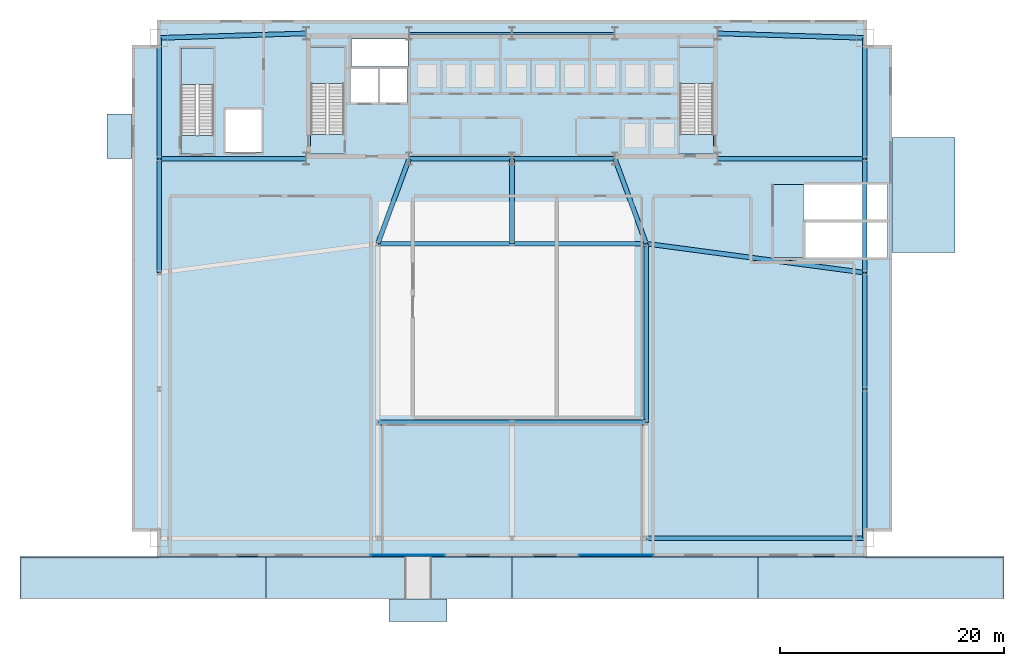
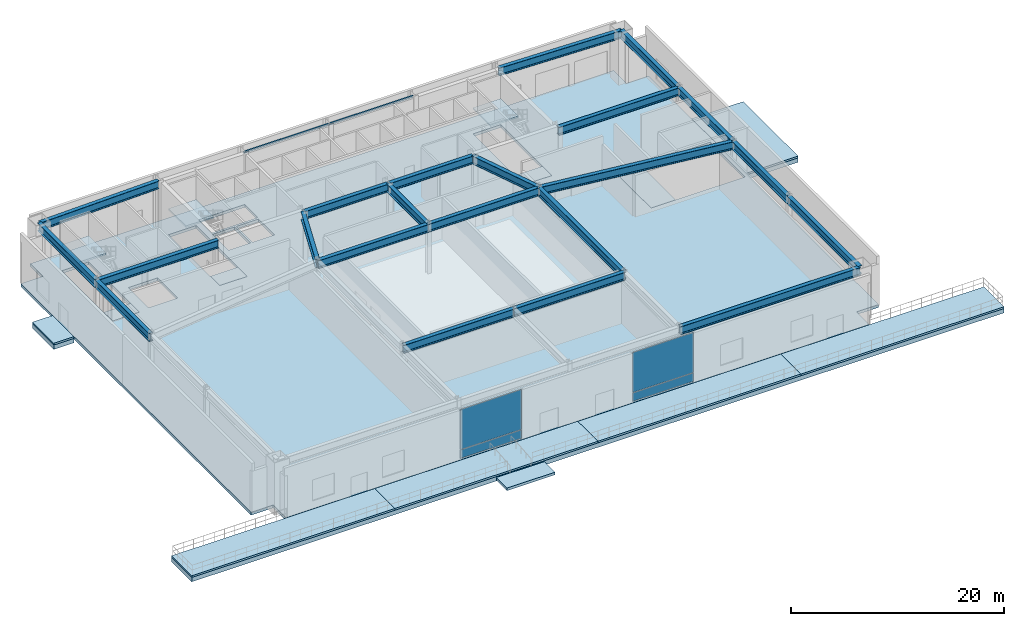
# One storey, part 8 of 17: 24 beams, 18 slabs, 4 plates, 5 elements without a shape of their own.
"""IFC4 building model written with IfcOpenShell, lengths in metres."""

from ifc_helpers import new_model, si_unit, direction, frame, origin, origin_2d, place, context, subcontext, project, spatial, polyline, rectangle, i_section, outline, extrude, source, transform, mapped, material, layer, layer_set, material_profile, profile_set, type_object, type_shapes, element, aggregate, save


model = new_model("IFC4")

# Units and contexts
model_context = context("Model", 3, precision=1e-05, world=origin(), true_north=direction((0.0, 1.0)))
body_context = subcontext(model_context, "Body", "Model", "MODEL_VIEW")
ifc_project = project(units=[si_unit("LENGTHUNIT", "METRE"), si_unit("AREAUNIT", "SQUARE_METRE"), si_unit("VOLUMEUNIT", "CUBIC_METRE"), si_unit("PLANEANGLEUNIT", "RADIAN"), si_unit("MASSUNIT", "GRAM", prefix="KILO")], contexts=[model_context])

# Site, building, storey
site_placement = place(None, origin())
site = spatial("IfcSite", under=ifc_project, at=site_placement, CompositionType="ELEMENT")
building_placement = place(site_placement, origin())
building = spatial("IfcBuilding", under=site, at=building_placement, Name="Varnel Quay Broadcast Tower", CompositionType="ELEMENT")
storey_placement = place(building_placement, origin())
storey = spatial("IfcBuildingStorey", under=building, at=storey_placement, Name="L00", CompositionType="ELEMENT", Elevation=0.0)

# Beams
ifc_material_1 = material(Name="Structural Steel CSA G40.21 350W", Category="steel")
ifc_material_profile_1 = material_profile(ifc_material_1, i_section(OverallWidth=0.1650390625, OverallDepth=0.200927734375, WebThickness=0.006103515625, FlangeThickness=0.01025390625, FilletRadius=0.010009765625, at=origin_2d()), Name="W200X36")
ifc_profile_set_1 = profile_set([ifc_material_profile_1], Name="Structural Steel CSA G40.21 350W")
beam_type_1 = type_object("IfcBeamType", Name="Beam_W200X36", PredefinedType="LINTEL", material=ifc_profile_set_1)
shared_shape_1 = source(origin(), body_context, "Body", "SweptSolid", [
    extrude(i_section(OverallWidth=0.1650390625, OverallDepth=0.200927734375, WebThickness=0.006103515625, FlangeThickness=0.01025390625, FilletRadius=0.010009765625, at=origin_2d()), origin(), (0.0, 0.0, 1.0), 9.159912109375),
])
type_shapes(beam_type_1, [shared_shape_1])
for number, where, z_axis, x_axis, name in (
    (1, (24.820068359375, 46.800048828125, 5.619384765625), (1.0, 0.0, 0.0), (0.0, 1.0, 0.0), "L00 Core North Portal Lintel W"),
    (2, (34.02001953125, 46.800048828125, 5.619384765625), (1.0, 0.0, 0.0), (0.0, 1.0, 0.0), "L00 Core North Portal Lintel E"),
):
    element("IfcBeam", number, at=place(storey_placement, frame(where, z_axis=z_axis, x_axis=x_axis)), inside=storey, type_object=beam_type_1, Name=name, PredefinedType="LINTEL", context=body_context, shape_type="MappedRepresentation", body=[
        mapped(shared_shape_1, transform((0.0, 0.0, 0.0), x_axis=(1.0, 0.0, 0.0), y_axis=(0.0, 1.0, 0.0), z_axis=(0.0, 0.0, 1.0), scale=1.0)),
    ])
ifc_material_profile_2 = material_profile(ifc_material_1, i_section(OverallWidth=0.41796875, OverallDepth=0.912109375, WebThickness=0.019287109375, FlangeThickness=0.031982421875, FilletRadius=0.02197265625, at=origin_2d()), Name="W920X342")
ifc_profile_set_2 = profile_set([ifc_material_profile_2], Name="Structural Steel CSA G40.21 350W")
beam_type_2 = type_object("IfcBeamType", Name="Girder_W920X342", PredefinedType="BEAM", material=ifc_profile_set_2)
shared_shape_2 = source(origin(), body_context, "Body", "SweptSolid", [
    extrude(i_section(OverallWidth=0.41796875, OverallDepth=0.912109375, WebThickness=0.019287109375, FlangeThickness=0.031982421875, FilletRadius=0.02197265625, at=origin_2d()), origin(), (0.0, 0.0, 1.0), 19.510009765625),
])
beam_1_placement = place(storey_placement, frame((46.02001953125, 1.64990234375, 5.263916015625), z_axis=(1.0, 0.0, 0.0), x_axis=(0.0, 1.0, 0.0)))
element("IfcBeam", 3, at=beam_1_placement, inside=storey, type_object=beam_type_2, Name="L00 Girder G-PS4", PredefinedType="BEAM", context=body_context, shape_type="MappedRepresentation", body=[
    mapped(shared_shape_2, transform((0.0, 0.0, 0.0), x_axis=(1.0, 0.0, 0.0), y_axis=(0.0, 1.0, 0.0), z_axis=(0.0, 0.0, 1.0), scale=1.0)),
])
shared_shape_3 = source(origin(), body_context, "Body", "SweptSolid", [
    extrude(i_section(OverallWidth=0.41796875, OverallDepth=0.912109375, WebThickness=0.019287109375, FlangeThickness=0.031982421875, FilletRadius=0.02197265625, at=origin_2d()), origin(), (0.0, 0.0, 1.0), 11.9599609375),
])
for number, where, z_axis, x_axis, name in (
    (4, (22.02001953125, 12.0, 5.263916015625), (1.0, 0.0, 0.0), (0.0, 1.0, 0.0), "L00 Girder G-STC1A"),
    (5, (34.02001953125, 12.0, 5.263916015625), (1.0, 0.0, 0.0), (0.0, 1.0, 0.0), "L00 Girder G-STC1B"),
    (6, (22.02001953125, 28.0, 5.263916015625), (1.0, 0.0, 0.0), (0.0, 1.0, 0.0), "L00 Girder G-STC2"),
    (7, (34.02001953125, 28.0, 5.263916015625), (1.0, 0.0, 0.0), (0.0, 1.0, 0.0), "L00 Girder G-STC3"),
):
    element("IfcBeam", number, at=place(storey_placement, frame(where, z_axis=z_axis, x_axis=x_axis)), inside=storey, type_object=beam_type_2, Name=name, PredefinedType="BEAM", context=body_context, shape_type="MappedRepresentation", body=[
        mapped(shared_shape_3, transform((0.0, 0.0, 0.0), x_axis=(1.0, 0.0, 0.0), y_axis=(0.0, 1.0, 0.0), z_axis=(0.0, 0.0, 1.0), scale=1.0)),
    ])
shared_shape_4 = source(origin(), body_context, "Body", "SweptSolid", [
    extrude(i_section(OverallWidth=0.41796875, OverallDepth=0.912109375, WebThickness=0.019287109375, FlangeThickness=0.031982421875, FilletRadius=0.02197265625, at=origin_2d()), origin(), (0.0, 0.0, 1.0), 13.31005859375),
])
beam_2_placement = place(storey_placement, frame((65.550048828125, 1.669921875, 5.263916015625), z_axis=(0.0, 1.0, 0.0), x_axis=(-1.0, 0.0, 0.0)))
element("IfcBeam", 8, at=beam_2_placement, inside=storey, type_object=beam_type_2, Name="L00 Girder G-PE1", PredefinedType="BEAM", context=body_context, shape_type="MappedRepresentation", body=[
    mapped(shared_shape_4, transform((0.0, 0.0, 0.0), x_axis=(1.0, 0.0, 0.0), y_axis=(0.0, 1.0, 0.0), z_axis=(0.0, 0.0, 1.0), scale=1.0)),
])
shared_shape_5 = source(origin(), body_context, "Body", "SweptSolid", [
    extrude(i_section(OverallWidth=0.41796875, OverallDepth=0.912109375, WebThickness=0.019287109375, FlangeThickness=0.031982421875, FilletRadius=0.02197265625, at=origin_2d()), origin(), (0.0, 0.0, 1.0), 10.35986328125),
])
beam_3_placement = place(storey_placement, frame((65.550048828125, 15.02001953125, 5.263916015625), z_axis=(0.0, 1.0, 0.0), x_axis=(-1.0, 0.0, 0.0)))
element("IfcBeam", 9, at=beam_3_placement, inside=storey, type_object=beam_type_2, Name="L00 Girder G-PE2", PredefinedType="BEAM", context=body_context, shape_type="MappedRepresentation", body=[
    mapped(shared_shape_5, transform((0.0, 0.0, 0.0), x_axis=(1.0, 0.0, 0.0), y_axis=(0.0, 1.0, 0.0), z_axis=(0.0, 0.0, 1.0), scale=1.0)),
])
shared_shape_6 = source(origin(), body_context, "Body", "SweptSolid", [
    extrude(i_section(OverallWidth=0.41796875, OverallDepth=0.912109375, WebThickness=0.019287109375, FlangeThickness=0.031982421875, FilletRadius=0.02197265625, at=origin_2d()), origin(), (0.0, 0.0, 1.0), 10.16015625),
])
for number, where, z_axis, x_axis, name in (
    (10, (2.449951171875, 25.419921875, 5.263916015625), (0.0, 1.0, 0.0), (-1.0, 0.0, 0.0), "L00 Girder G-PW3"),
    (11, (65.550048828125, 25.419921875, 5.263916015625), (0.0, 1.0, 0.0), (-1.0, 0.0, 0.0), "L00 Girder G-PE3"),
):
    element("IfcBeam", number, at=place(storey_placement, frame(where, z_axis=z_axis, x_axis=x_axis)), inside=storey, type_object=beam_type_2, Name=name, PredefinedType="BEAM", context=body_context, shape_type="MappedRepresentation", body=[
        mapped(shared_shape_6, transform((0.0, 0.0, 0.0), x_axis=(1.0, 0.0, 0.0), y_axis=(0.0, 1.0, 0.0), z_axis=(0.0, 0.0, 1.0), scale=1.0)),
    ])
shared_shape_7 = source(origin(), body_context, "Body", "SweptSolid", [
    extrude(i_section(OverallWidth=0.41796875, OverallDepth=0.912109375, WebThickness=0.019287109375, FlangeThickness=0.031982421875, FilletRadius=0.02197265625, at=origin_2d()), origin(), (0.0, 0.0, 1.0), 10.759765625),
])
for number, where, z_axis, x_axis, name in (
    (12, (2.449951171875, 35.6201171875, 5.263916015625), (0.0, 1.0, 0.0), (-1.0, 0.0, 0.0), "L00 Girder G-PW4"),
    (13, (65.550048828125, 35.6201171875, 5.263916015625), (0.0, 1.0, 0.0), (-1.0, 0.0, 0.0), "L00 Girder G-PE4"),
):
    element("IfcBeam", number, at=place(storey_placement, frame(where, z_axis=z_axis, x_axis=x_axis)), inside=storey, type_object=beam_type_2, Name=name, PredefinedType="BEAM", context=body_context, shape_type="MappedRepresentation", body=[
        mapped(shared_shape_7, transform((0.0, 0.0, 0.0), x_axis=(1.0, 0.0, 0.0), y_axis=(0.0, 1.0, 0.0), z_axis=(0.0, 0.0, 1.0), scale=1.0)),
    ])
shared_shape_8 = source(origin(), body_context, "Body", "SweptSolid", [
    extrude(i_section(OverallWidth=0.41796875, OverallDepth=0.912109375, WebThickness=0.019287109375, FlangeThickness=0.031982421875, FilletRadius=0.02197265625, at=origin_2d()), origin(), (0.0, 0.0, 1.0), 13.1162109375),
])
for number, where, z_axis, x_axis, name in (
    (14, (2.469970703125, 46.400634765625, 5.263916015625), (0.999537928818, 0.030396198025, 0.0), (-0.030396198025, 0.999537928818, 0.0), "L00 Girder G-PN1"),
    (15, (52.419921875, 46.79931640625, 5.263916015625), (0.999537928818, -0.030396198025, 0.0), (0.030396198025, 0.999537928818, 0.0), "L00 Girder G-PN2"),
):
    element("IfcBeam", number, at=place(storey_placement, frame(where, z_axis=z_axis, x_axis=x_axis)), inside=storey, type_object=beam_type_2, Name=name, PredefinedType="BEAM", context=body_context, shape_type="MappedRepresentation", body=[
        mapped(shared_shape_8, transform((0.0, 0.0, 0.0), x_axis=(1.0, 0.0, 0.0), y_axis=(0.0, 1.0, 0.0), z_axis=(0.0, 0.0, 1.0), scale=1.0)),
    ])
shared_shape_9 = source(origin(), body_context, "Body", "SweptSolid", [
    extrude(i_section(OverallWidth=0.41796875, OverallDepth=0.912109375, WebThickness=0.019287109375, FlangeThickness=0.031982421875, FilletRadius=0.02197265625, at=origin_2d()), origin(), (0.0, 0.0, 1.0), 19.682373046875),
])
beam_4_placement = place(storey_placement, frame((46.019775390625, 27.997314453125, 5.263916015625), z_axis=(0.991272261072, -0.131830589885, 0.0), x_axis=(0.131830589885, 0.991272261072, 0.0)))
element("IfcBeam", 16, at=beam_4_placement, inside=storey, type_object=beam_type_2, Name="L00 Girder G-STB2", PredefinedType="BEAM", context=body_context, shape_type="MappedRepresentation", body=[
    mapped(shared_shape_9, transform((0.0, 0.0, 0.0), x_axis=(1.0, 0.0, 0.0), y_axis=(0.0, 1.0, 0.0), z_axis=(0.0, 0.0, 1.0), scale=1.0)),
])
shared_shape_10 = source(origin(), body_context, "Body", "SweptSolid", [
    extrude(i_section(OverallWidth=0.41796875, OverallDepth=0.912109375, WebThickness=0.019287109375, FlangeThickness=0.031982421875, FilletRadius=0.02197265625, at=origin_2d()), origin(), (0.0, 0.0, 1.0), 15.9599609375),
])
beam_5_placement = place(storey_placement, frame((46.0, 12.02001953125, 5.263916015625), z_axis=(0.0, 1.0, 0.0), x_axis=(-1.0, 0.0, 0.0)))
element("IfcBeam", 17, at=beam_5_placement, inside=storey, type_object=beam_type_2, Name="L00 Girder G-M4", PredefinedType="BEAM", context=body_context, shape_type="MappedRepresentation", body=[
    mapped(shared_shape_10, transform((0.0, 0.0, 0.0), x_axis=(1.0, 0.0, 0.0), y_axis=(0.0, 1.0, 0.0), z_axis=(0.0, 0.0, 1.0), scale=1.0)),
])
shared_shape_11 = source(origin(), body_context, "Body", "SweptSolid", [
    extrude(i_section(OverallWidth=0.41796875, OverallDepth=0.912109375, WebThickness=0.019287109375, FlangeThickness=0.031982421875, FilletRadius=0.02197265625, at=origin_2d()), origin(), (0.0, 0.0, 1.0), 8.0595703125),
])
for number, where, z_axis, x_axis, name in (
    (18, (22.0068359375, 28.018798828125, 5.263916015625), (0.345726415607, 0.938335358788, 0.0), (-0.938335358788, 0.345726415607, 0.0), "L00 Girder G-C1"),
    (19, (45.9931640625, 28.018798828125, 5.263916015625), (-0.345726415607, 0.938335358788, 0.0), (-0.938335358788, -0.345726415607, 0.0), "L00 Girder G-C3"),
):
    element("IfcBeam", number, at=place(storey_placement, frame(where, z_axis=z_axis, x_axis=x_axis)), inside=storey, type_object=beam_type_2, Name=name, PredefinedType="BEAM", context=body_context, shape_type="MappedRepresentation", body=[
        mapped(shared_shape_11, transform((0.0, 0.0, 0.0), x_axis=(1.0, 0.0, 0.0), y_axis=(0.0, 1.0, 0.0), z_axis=(0.0, 0.0, 1.0), scale=1.0)),
    ])
shared_shape_12 = source(origin(), body_context, "Body", "SweptSolid", [
    extrude(i_section(OverallWidth=0.41796875, OverallDepth=0.912109375, WebThickness=0.019287109375, FlangeThickness=0.031982421875, FilletRadius=0.02197265625, at=origin_2d()), origin(), (0.0, 0.0, 1.0), 7.56005859375),
])
beam_6_placement = place(storey_placement, frame((34.0, 28.02001953125, 5.263916015625), z_axis=(0.0, 1.0, 0.0), x_axis=(-1.0, 0.0, 0.0)))
element("IfcBeam", 20, at=beam_6_placement, inside=storey, type_object=beam_type_2, Name="L00 Girder G-C2", PredefinedType="BEAM", context=body_context, shape_type="MappedRepresentation", body=[
    mapped(shared_shape_12, transform((0.0, 0.0, 0.0), x_axis=(1.0, 0.0, 0.0), y_axis=(0.0, 1.0, 0.0), z_axis=(0.0, 0.0, 1.0), scale=1.0)),
])
shared_shape_13 = source(origin(), body_context, "Body", "SweptSolid", [
    extrude(i_section(OverallWidth=0.41796875, OverallDepth=0.912109375, WebThickness=0.019287109375, FlangeThickness=0.031982421875, FilletRadius=0.02197265625, at=origin_2d()), origin(), (0.0, 0.0, 1.0), 13.110107421875),
])
for number, where, z_axis, x_axis, name in (
    (21, (2.469970703125, 35.60009765625, 5.263916015625), (1.0, 0.0, 0.0), (0.0, 1.0, 0.0), "L00 Girder G-C4"),
    (22, (52.419921875, 35.60009765625, 5.263916015625), (1.0, 0.0, 0.0), (0.0, 1.0, 0.0), "L00 Girder G-C5"),
):
    element("IfcBeam", number, at=place(storey_placement, frame(where, z_axis=z_axis, x_axis=x_axis)), inside=storey, type_object=beam_type_2, Name=name, PredefinedType="BEAM", context=body_context, shape_type="MappedRepresentation", body=[
        mapped(shared_shape_13, transform((0.0, 0.0, 0.0), x_axis=(1.0, 0.0, 0.0), y_axis=(0.0, 1.0, 0.0), z_axis=(0.0, 0.0, 1.0), scale=1.0)),
    ])
shared_shape_14 = source(origin(), body_context, "Body", "SweptSolid", [
    extrude(i_section(OverallWidth=0.41796875, OverallDepth=0.912109375, WebThickness=0.019287109375, FlangeThickness=0.031982421875, FilletRadius=0.02197265625, at=origin_2d()), origin(), (0.0, 0.0, 1.0), 9.159912109375),
])
type_shapes(beam_type_2, [shared_shape_2, shared_shape_3, shared_shape_4, shared_shape_5, shared_shape_6, shared_shape_7, shared_shape_8, shared_shape_9, shared_shape_10, shared_shape_11, shared_shape_12, shared_shape_13, shared_shape_14])
for number, where, z_axis, x_axis, name in (
    (23, (24.820068359375, 35.60009765625, 5.263916015625), (1.0, 0.0, 0.0), (0.0, 1.0, 0.0), "L00 Girder G-CS1"),
    (24, (34.02001953125, 35.60009765625, 5.263916015625), (1.0, 0.0, 0.0), (0.0, 1.0, 0.0), "L00 Girder G-CS2"),
):
    element("IfcBeam", number, at=place(storey_placement, frame(where, z_axis=z_axis, x_axis=x_axis)), inside=storey, type_object=beam_type_2, Name=name, PredefinedType="BEAM", context=body_context, shape_type="MappedRepresentation", body=[
        mapped(shared_shape_14, transform((0.0, 0.0, 0.0), x_axis=(1.0, 0.0, 0.0), y_axis=(0.0, 1.0, 0.0), z_axis=(0.0, 0.0, 1.0), scale=1.0)),
    ])

# Slabs
ifc_material_2 = material(Name="Concrete CSA A23.3 C50/60", Category="concrete")
ifc_layer_1 = layer(ifc_material_2, 0.5, Name="Concrete CSA A23.3 C50/60")
ifc_layer_set_1 = layer_set([ifc_layer_1], Name="Concrete CSA A23.3 C50/60")
slab_type_1 = type_object("IfcSlabType", Name="Slab_Base500", PredefinedType="BASESLAB", material=ifc_layer_set_1)
slab_1_placement = place(storey_placement, frame((0.0, 0.0, -0.699951171875)))
element("IfcSlab", 25, at=slab_1_placement, inside=storey, type_object=slab_type_1, Name="Quay Promenade Continuous Structural Sub-Base", PredefinedType="BASESLAB", context=body_context, shape_type="SweptSolid", body=[
    extrude(outline(polyline([(-10.0, -3.800048828125), (78.0, -3.800048828125), (78.0, 0.0), (-10.0, 0.0), (-10.0, -3.800048828125)])), origin(), (0.0, 0.0, 1.0), 0.5),
])
slab_2_placement = place(storey_placement, frame((0.0, 0.0, -0.699951171875)))
element("IfcSlab", 26, at=slab_2_placement, inside=storey, type_object=slab_type_1, Name="East Ramp Apron Structural Sub-Base", PredefinedType="BASESLAB", context=body_context, shape_type="SweptSolid", body=[
    extrude(outline(polyline([(68.0, 27.199951171875), (73.60009765625, 27.199951171875), (73.60009765625, 37.5), (68.0, 37.5), (68.0, 27.199951171875)])), origin(), (0.0, 0.0, 1.0), 0.5),
])
slab_3_placement = place(storey_placement, frame((0.0, 0.0, -0.699951171875)))
element("IfcSlab", 27, at=slab_3_placement, inside=storey, type_object=slab_type_1, Name="West Exit Stair 3 Discharge Apron Sub-Base", PredefinedType="BASESLAB", context=body_context, shape_type="SweptSolid", body=[
    extrude(outline(polyline([(-2.199951171875, 35.60009765625), (0.0, 35.60009765625), (0.0, 39.60009765625), (-2.199951171875, 39.60009765625), (-2.199951171875, 35.60009765625)])), origin(), (0.0, 0.0, 1.0), 0.5),
])
ifc_material_3 = material(Name="Concrete CSA A23.3 C40/50", Category="concrete")
ifc_layer_2 = layer(ifc_material_3, 0.25, Name="Concrete CSA A23.3 C40/50")
ifc_layer_set_2 = layer_set([ifc_layer_2], Name="Concrete CSA A23.3 C40/50")
slab_type_2 = type_object("IfcSlabType", Name="Slab_ExtTerrace250", PredefinedType="FLOOR", material=ifc_layer_set_2)
slab_4_placement = place(storey_placement, frame((0.0, 0.0, -0.199951171875)))
element("IfcSlab", 28, at=slab_4_placement, inside=storey, type_object=slab_type_2, Name="West Street Stair 3 Exit Discharge Apron", PredefinedType="FLOOR", context=body_context, shape_type="SweptSolid", body=[
    extrude(outline(polyline([(-2.199951171875, 35.60009765625), (0.0, 35.60009765625), (0.0, 39.60009765625), (-2.199951171875, 39.60009765625), (-2.199951171875, 35.60009765625)])), origin(), (0.0, 0.0, 1.0), 0.199951171875),
])
ifc_layer_3 = layer(ifc_material_2, 0.320068359375, Name="Concrete CSA A23.3 C50/60")
ifc_layer_set_3 = layer_set([ifc_layer_3], Name="Concrete CSA A23.3 C50/60")
slab_type_3 = type_object("IfcSlabType", Name="Slab_Floor320", PredefinedType="FLOOR", material=ifc_layer_set_3)
slab_5_placement = place(storey_placement, frame((0.0, 0.0, -0.320068359375)))
element("IfcSlab", 29, at=slab_5_placement, inside=storey, type_object=slab_type_3, Name="L00 Structural Slab", PredefinedType="FLOOR", context=body_context, shape_type="SweptSolid", body=[
    extrude(outline(polyline([(2.39990234375, 0.0), (65.60009765625, 0.0), (65.60009765625, 2.39990234375), (68.0, 2.39990234375), (68.0, 45.60009765625), (65.60009765625, 45.60009765625), (65.60009765625, 48.0), (2.39990234375, 48.0), (2.39990234375, 45.60009765625), (0.0, 45.60009765625), (0.0, 2.39990234375), (2.39990234375, 2.39990234375), (2.39990234375, 0.0)]), holes=[polyline([(57.39990234375, 26.75), (57.39990234375, 33.300048828125), (67.60009765625, 33.300048828125), (67.60009765625, 26.75), (57.39990234375, 26.75)]), polyline([(8.39990234375, 36.199951171875), (8.39990234375, 40.0), (11.60009765625, 40.0), (11.60009765625, 36.199951171875), (8.39990234375, 36.199951171875)]), polyline([(7.300048828125, 36.0), (4.39990234375, 36.0), (4.39990234375, 45.5), (7.300048828125, 45.5), (7.300048828125, 36.0)]), polyline([(19.0, 36.0), (16.0, 36.0), (16.0, 45.60009765625), (19.0, 45.60009765625), (19.0, 36.0)]), polyline([(52.0, 36.0), (49.0, 36.0), (49.0, 45.60009765625), (52.0, 45.60009765625), (52.0, 36.0)]), polyline([(19.60009765625, 40.60009765625), (19.60009765625, 43.60009765625), (22.0, 43.60009765625), (22.0, 40.60009765625), (19.60009765625, 40.60009765625)]), polyline([(22.199951171875, 40.60009765625), (22.199951171875, 43.60009765625), (24.60009765625, 43.60009765625), (24.60009765625, 40.60009765625), (22.199951171875, 40.60009765625)]), polyline([(19.64990234375, 43.85009765625), (19.64990234375, 46.300048828125), (24.679931640625, 46.300048828125), (24.679931640625, 43.85009765625), (19.64990234375, 43.85009765625)])]), origin(), (0.0, 0.0, 1.0), 0.320068359375),
])
ifc_material_4 = material(Name="Granite Waterfront Promenade Paving Concrete C40/50", Category="masonry")
ifc_layer_4 = layer(ifc_material_4, 0.199951171875, Name="Granite Waterfront Promenade Paving Concrete C40/50")
ifc_layer_set_4 = layer_set([ifc_layer_4], Name="Granite Waterfront Promenade Paving Concrete C40/50")
slab_type_4 = type_object("IfcSlabType", Name="Slab_QuayPaving200", PredefinedType="USERDEFINED", material=ifc_layer_set_4)
slab_6_placement = place(storey_placement, frame((0.0, 0.0, -0.199951171875)))
element("IfcSlab", 30, at=slab_6_placement, inside=storey, type_object=slab_type_4, Name="Waterfront Quay Promenade Paving Bay 1", ObjectType="PAVING", PredefinedType="USERDEFINED", context=body_context, shape_type="SweptSolid", body=[
    extrude(outline(polyline([(-10.0, -3.800048828125), (12.0, -3.800048828125), (12.0, -0.02001953125), (-10.0, -0.02001953125), (-10.0, -3.800048828125)])), origin(), (0.0, 0.0, 1.0), 0.199951171875),
])
slab_7_placement = place(storey_placement, frame((0.0, 0.0, -0.199951171875)))
element("IfcSlab", 31, at=slab_7_placement, inside=storey, type_object=slab_type_4, Name="Waterfront Quay Promenade Paving Bay 2", ObjectType="PAVING", PredefinedType="USERDEFINED", context=body_context, shape_type="SweptSolid", body=[
    extrude(outline(polyline([(12.0, -3.800048828125), (34.0, -3.800048828125), (34.0, -0.02001953125), (12.0, -0.02001953125), (12.0, -3.800048828125)])), origin(), (0.0, 0.0, 1.0), 0.199951171875),
])
slab_8_placement = place(storey_placement, frame((0.0, 0.0, -0.199951171875)))
element("IfcSlab", 32, at=slab_8_placement, inside=storey, type_object=slab_type_4, Name="Waterfront Quay Promenade Paving Bay 3", ObjectType="PAVING", PredefinedType="USERDEFINED", context=body_context, shape_type="SweptSolid", body=[
    extrude(outline(polyline([(34.0, -3.800048828125), (56.0, -3.800048828125), (56.0, -0.02001953125), (34.0, -0.02001953125), (34.0, -3.800048828125)])), origin(), (0.0, 0.0, 1.0), 0.199951171875),
])
slab_9_placement = place(storey_placement, frame((0.0, 0.0, -0.199951171875)))
element("IfcSlab", 33, at=slab_9_placement, inside=storey, type_object=slab_type_4, Name="Waterfront Quay Promenade Paving Bay 4", ObjectType="PAVING", PredefinedType="USERDEFINED", context=body_context, shape_type="SweptSolid", body=[
    extrude(outline(polyline([(56.0, -3.800048828125), (78.0, -3.800048828125), (78.0, -0.02001953125), (56.0, -0.02001953125), (56.0, -3.800048828125)])), origin(), (0.0, 0.0, 1.0), 0.199951171875),
])
slab_10_placement = place(storey_placement, frame((0.0, 0.0, -0.199951171875)))
element("IfcSlab", 34, at=slab_10_placement, inside=storey, type_object=slab_type_4, Name="East Street Vehicle Ramp Driveway Apron", ObjectType="PAVING", PredefinedType="USERDEFINED", context=body_context, shape_type="SweptSolid", body=[
    extrude(outline(polyline([(68.0, 27.199951171875), (73.60009765625, 27.199951171875), (73.60009765625, 37.5), (68.0, 37.5), (68.0, 27.199951171875)])), origin(), (0.0, 0.0, 1.0), 0.199951171875),
])
ifc_layer_5 = layer(ifc_material_3, 0.300048828125, Name="Concrete CSA A23.3 C40/50")
ifc_layer_set_5 = layer_set([ifc_layer_5], Name="Concrete CSA A23.3 C40/50")
slab_type_5 = type_object("IfcSlabType", Name="Slab_RampLanding300", PredefinedType="FLOOR", material=ifc_layer_set_5)
slab_11_placement = place(storey_placement, frame((0.0, 0.0, -0.60009765625)))
element("IfcSlab", 35, at=slab_11_placement, inside=storey, type_object=slab_type_5, Name="Waterfront Promenade Step-Free Ramp Bottom Landing", PredefinedType="FLOOR", context=body_context, shape_type="SweptSolid", body=[
    extrude(outline(polyline([(23.0, -5.800048828125), (28.199951171875, -5.800048828125), (28.199951171875, -3.800048828125), (23.0, -3.800048828125), (23.0, -5.800048828125)])), origin(), (0.0, 0.0, 1.0), 0.300048828125),
])
slab_12_placement = place(storey_placement, frame((0.0, 0.0, -0.320068359375)))
element("IfcSlab", 36, at=slab_12_placement, inside=storey, type_object=slab_type_5, Name="L00 Structural Vehicle Ramp West Portal Slab", PredefinedType="FLOOR", context=body_context, shape_type="SweptSolid", body=[
    extrude(outline(polyline([(57.39990234375, 26.75), (60.080078125, 26.75), (60.080078125, 33.300048828125), (57.39990234375, 33.300048828125), (57.39990234375, 32.800048828125), (57.39990234375, 32.300048828125), (57.39990234375, 31.800048828125), (57.39990234375, 31.300048828125), (57.39990234375, 30.800048828125), (57.39990234375, 30.300048828125), (57.39990234375, 29.800048828125), (57.39990234375, 29.300048828125), (57.39990234375, 28.800048828125), (57.39990234375, 28.300048828125), (57.39990234375, 27.800048828125), (57.39990234375, 27.300048828125), (57.39990234375, 26.75)])), origin(), (0.0, 0.0, 1.0), 0.320068359375),
])
ifc_layer_6 = layer(ifc_material_2, 0.25, Name="Concrete CSA A23.3 C50/60")
ifc_layer_set_6 = layer_set([ifc_layer_6], Name="Concrete CSA A23.3 C50/60")
slab_type_6 = type_object("IfcSlabType", Name="Slab_StairFloorLanding250", PredefinedType="FLOOR", material=ifc_layer_set_6)
slab_13_placement = place(storey_placement, frame((0.0, 0.0, -0.320068359375)))
element("IfcSlab", 37, at=slab_13_placement, inside=storey, type_object=slab_type_6, Name="L00 ST-01 Structural Floor Landing Slab", PredefinedType="FLOOR", context=body_context, shape_type="SweptSolid", body=[
    extrude(outline(polyline([(19.0, 36.0), (19.0, 37.75), (16.0, 37.75), (16.0, 36.0), (19.0, 36.0)])), origin(), (0.0, 0.0, 1.0), 0.320068359375),
])
slab_14_placement = place(storey_placement, frame((0.0, 0.0, -0.320068359375)))
element("IfcSlab", 38, at=slab_14_placement, inside=storey, type_object=slab_type_6, Name="L00 ST-02 Structural Floor Landing Slab", PredefinedType="FLOOR", context=body_context, shape_type="SweptSolid", body=[
    extrude(outline(polyline([(52.0, 36.0), (52.0, 37.75), (49.0, 37.75), (49.0, 36.0), (52.0, 36.0)])), origin(), (0.0, 0.0, 1.0), 0.320068359375),
])
slab_15_placement = place(storey_placement, frame((0.0, 0.0, -0.320068359375)))
element("IfcSlab", 39, at=slab_15_placement, inside=storey, type_object=slab_type_6, Name="L00 ST-03 Structural Floor Landing Slab", PredefinedType="FLOOR", context=body_context, shape_type="SweptSolid", body=[
    extrude(outline(polyline([(7.300048828125, 36.0), (7.300048828125, 37.64990234375), (4.39990234375, 37.64990234375), (4.39990234375, 36.0), (7.300048828125, 36.0)])), origin(), (0.0, 0.0, 1.0), 0.320068359375),
])

# Stair, slab
ifc_material_5 = material(Name="Precast Structural Concrete C40/50", Category="concrete")
stair_type_1 = type_object("IfcStairType", Name="Stair_ST-01", PredefinedType="HALF_TURN_STAIR", material=ifc_material_5)
stair_1_placement = place(storey_placement, origin())
stair_1 = element("IfcStair", 40, at=stair_1_placement, inside=storey, type_object=stair_type_1, Name="L00 West Core Exit Stair 1", PredefinedType="HALF_TURN_STAIR")
ifc_layer_7 = layer(ifc_material_5, 0.199951171875, Name="Precast Structural Concrete C40/50")
ifc_layer_set_7 = layer_set([ifc_layer_7], Name="Precast Structural Concrete C40/50")
slab_type_7 = type_object("IfcSlabType", Name="Slab_StairLanding200", PredefinedType="LANDING", material=ifc_layer_set_7)
slab_16_placement = place(storey_placement, frame((0.0, 0.0, 2.800048828125)))
slab_16 = element("IfcSlab", 41, at=slab_16_placement, type_object=slab_type_7, Name="ST-01 landing 1", PredefinedType="LANDING", context=body_context, shape_type="SweptSolid", body=[
    extrude(outline(polyline([(19.0, 42.31005859375), (19.0, 45.60009765625), (16.0, 45.60009765625), (16.0, 42.31005859375), (19.0, 42.31005859375)])), origin(), (0.0, 0.0, 1.0), 0.199951171875),
])
aggregate(stair_1, [slab_16])

stair_type_2 = type_object("IfcStairType", Name="Stair_ST-02", PredefinedType="HALF_TURN_STAIR", material=ifc_material_5)
stair_2_placement = place(storey_placement, origin())
stair_2 = element("IfcStair", 42, at=stair_2_placement, inside=storey, type_object=stair_type_2, Name="L00 East Core Exit Stair 2", PredefinedType="HALF_TURN_STAIR")
slab_17_placement = place(storey_placement, frame((0.0, 0.0, 2.800048828125)))
slab_17 = element("IfcSlab", 43, at=slab_17_placement, type_object=slab_type_7, Name="ST-02 landing 1", PredefinedType="LANDING", context=body_context, shape_type="SweptSolid", body=[
    extrude(outline(polyline([(52.0, 42.31005859375), (52.0, 45.60009765625), (49.0, 45.60009765625), (49.0, 42.31005859375), (52.0, 42.31005859375)])), origin(), (0.0, 0.0, 1.0), 0.199951171875),
])
aggregate(stair_2, [slab_17])

stair_type_3 = type_object("IfcStairType", Name="Stair_ST-03", PredefinedType="HALF_TURN_STAIR", material=ifc_material_5)
stair_3_placement = place(storey_placement, origin())
stair_3 = element("IfcStair", 44, at=stair_3_placement, inside=storey, type_object=stair_type_3, Name="L00 Podium Studio Exit Stair 3", PredefinedType="HALF_TURN_STAIR")
slab_18_placement = place(storey_placement, frame((0.0, 0.0, 2.800048828125)))
slab_18 = element("IfcSlab", 45, at=slab_18_placement, type_object=slab_type_7, Name="ST-03 landing 1", PredefinedType="LANDING", context=body_context, shape_type="SweptSolid", body=[
    extrude(outline(polyline([(7.300048828125, 42.2099609375), (7.300048828125, 45.5), (4.39990234375, 45.5), (4.39990234375, 42.2099609375), (7.300048828125, 42.2099609375)])), origin(), (0.0, 0.0, 1.0), 0.199951171875),
])
aggregate(stair_3, [slab_18])

# Curtain wall, plate
ifc_material_6 = material(Name="Anodised Bronze Aluminium 6063-T6", Category="aluminium")
ifc_layer_8 = layer(ifc_material_6, 0.18994140625, Name="Anodised Bronze Aluminium 6063-T6")
ifc_layer_set_8 = layer_set([ifc_layer_8], Name="Anodised Bronze Aluminium 6063-T6")
curtain_wall_type = type_object("IfcCurtainWallType", Name="CW_PodiumForum", PredefinedType="NOTDEFINED", material=ifc_layer_set_8)
curtain_wall_1_placement = place(storey_placement, origin())
curtain_wall_1 = element("IfcCurtainWall", 46, at=curtain_wall_1_placement, inside=storey, type_object=curtain_wall_type, Name="L00 Waterfront Forum West Glazing", PredefinedType="NOTDEFINED")
ifc_material_7 = material(Name="Triple-Glazed Clear High-Vision Low-E Glass", Category="glass")
ifc_layer_9 = layer(ifc_material_7, 0.035888671875, Name="Triple-Glazed Clear High-Vision Low-E Glass")
ifc_layer_set_9 = layer_set([ifc_layer_9], Name="Triple-Glazed Clear High-Vision Low-E Glass")
plate_type = type_object("IfcPlateType", Name="Panel_CWS-01", PredefinedType="CURTAIN_PANEL", material=ifc_layer_set_9)
shared_shape_15 = source(origin(), body_context, "Body", "SweptSolid", [
    extrude(rectangle(XDim=6.60009765625, YDim=0.035888671875, at=origin_2d()), origin(), (0.0, 0.0, 1.0), 0.952392578125),
])
plate_1_placement = place(storey_placement, frame((24.675048828125, 0.14990234375, 0.06494140625), z_axis=(0.0, 0.0, 1.0), x_axis=(1.0, 0.0, 0.0)))
plate_1 = element("IfcPlate", 47, at=plate_1_placement, type_object=plate_type, Name="CWS-01 panel 1.1", PredefinedType="CURTAIN_PANEL", context=body_context, shape_type="MappedRepresentation", body=[
    mapped(shared_shape_15, transform((0.0, 0.0, 0.0), x_axis=(1.0, 0.0, 0.0), y_axis=(0.0, 1.0, 0.0), z_axis=(0.0, 0.0, 1.0), scale=1.0)),
])

curtain_wall_2_placement = place(storey_placement, origin())
curtain_wall_2 = element("IfcCurtainWall", 48, at=curtain_wall_2_placement, inside=storey, type_object=curtain_wall_type, Name="L00 Waterfront Forum East Glazing", PredefinedType="NOTDEFINED")
plate_2_placement = place(storey_placement, frame((43.324951171875, 0.14990234375, 0.06494140625), z_axis=(0.0, 0.0, 1.0), x_axis=(1.0, 0.0, 0.0)))
plate_2 = element("IfcPlate", 49, at=plate_2_placement, type_object=plate_type, Name="CWS-01 panel 1.1", PredefinedType="CURTAIN_PANEL", context=body_context, shape_type="MappedRepresentation", body=[
    mapped(shared_shape_15, transform((0.0, 0.0, 0.0), x_axis=(1.0, 0.0, 0.0), y_axis=(0.0, 1.0, 0.0), z_axis=(0.0, 0.0, 1.0), scale=1.0)),
])

# Plate
shared_shape_16 = source(origin(), body_context, "Body", "SweptSolid", [
    extrude(rectangle(XDim=6.60009765625, YDim=0.035888671875, at=origin_2d()), origin(), (0.0, 0.0, 1.0), 4.572509765625),
])
type_shapes(plate_type, [shared_shape_15, shared_shape_16])
plate_3_placement = place(storey_placement, frame((24.675048828125, 0.14990234375, 1.08251953125), z_axis=(0.0, 0.0, 1.0), x_axis=(1.0, 0.0, 0.0)))
plate_3 = element("IfcPlate", 50, at=plate_3_placement, type_object=plate_type, Name="CWS-01 panel 1.2", PredefinedType="CURTAIN_PANEL", context=body_context, shape_type="MappedRepresentation", body=[
    mapped(shared_shape_16, transform((0.0, 0.0, 0.0), x_axis=(1.0, 0.0, 0.0), y_axis=(0.0, 1.0, 0.0), z_axis=(0.0, 0.0, 1.0), scale=1.0)),
])

aggregate(curtain_wall_1, [plate_1, plate_3])

plate_4_placement = place(storey_placement, frame((43.324951171875, 0.14990234375, 1.08251953125), z_axis=(0.0, 0.0, 1.0), x_axis=(1.0, 0.0, 0.0)))
plate_4 = element("IfcPlate", 51, at=plate_4_placement, type_object=plate_type, Name="CWS-01 panel 1.2", PredefinedType="CURTAIN_PANEL", context=body_context, shape_type="MappedRepresentation", body=[
    mapped(shared_shape_16, transform((0.0, 0.0, 0.0), x_axis=(1.0, 0.0, 0.0), y_axis=(0.0, 1.0, 0.0), z_axis=(0.0, 0.0, 1.0), scale=1.0)),
])

aggregate(curtain_wall_2, [plate_2, plate_4])

save(model, "model.ifc")
